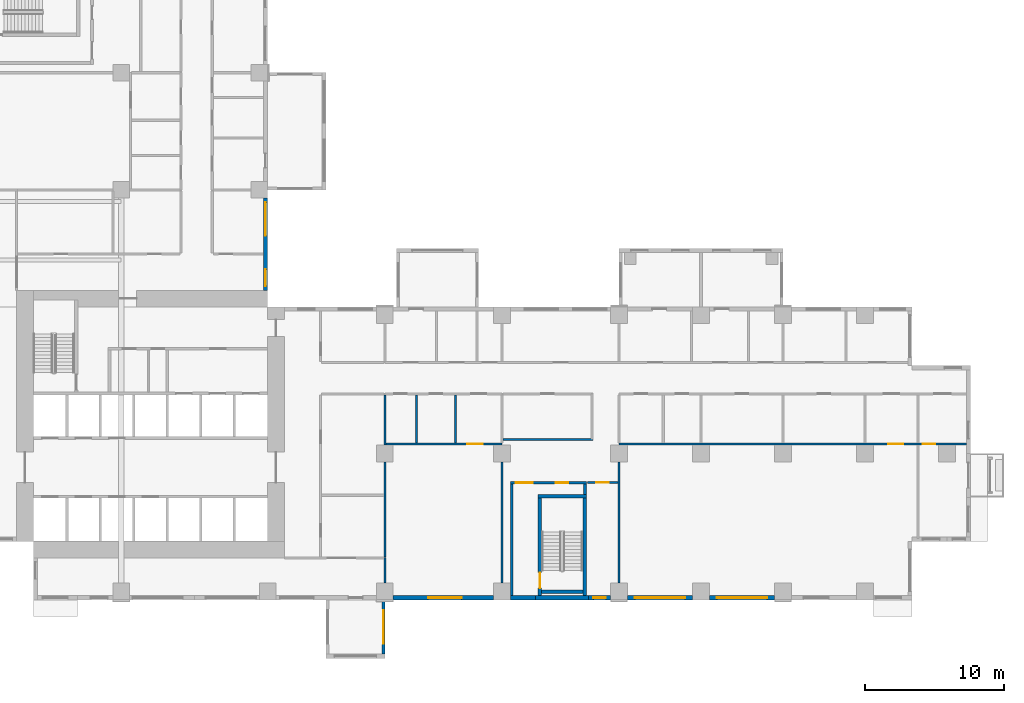
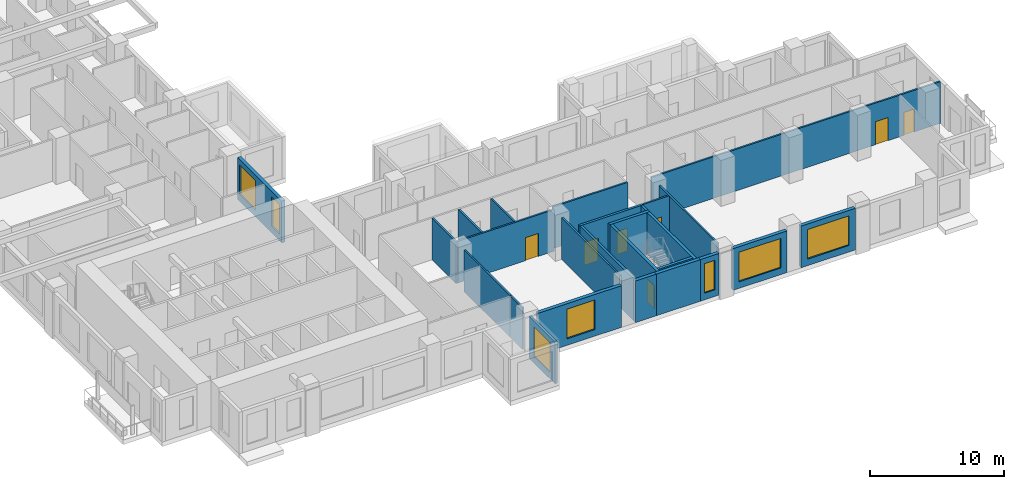
# One storey, part 4 of 15: 26 walls, 7 doors, 7 windows, 14 openings.
"""IFC4 building model written with IfcOpenShell, lengths in metres."""

from ifc_helpers import new_model, si_unit, direction, frame, frame_2d, origin, place, context, subcontext, project, spatial, rectangle, extrude, source, transform, mapped, material, layer, layer_set, type_object, element, fill, save


model = new_model("IFC4")

# Units and contexts
model_context = context("Model", 3, precision=1e-05, world=origin(), true_north=direction((0.0, 1.0)))
body_context = subcontext(model_context, "Body", "Model", "MODEL_VIEW")
ifc_project = project(units=[si_unit("LENGTHUNIT", "METRE"), si_unit("AREAUNIT", "SQUARE_METRE"), si_unit("VOLUMEUNIT", "CUBIC_METRE"), si_unit("PLANEANGLEUNIT", "RADIAN"), si_unit("MASSUNIT", "GRAM", prefix="KILO")], contexts=[model_context])

# Site, building, storey
site_placement = place(None, origin())
site = spatial("IfcSite", under=ifc_project, at=site_placement, CompositionType="ELEMENT")
building_placement = place(site_placement, origin())
building = spatial("IfcBuilding", under=site, at=building_placement, Name="Aurelian Terraces", CompositionType="ELEMENT")
storey_placement = place(building_placement, frame((0.0, 0.0, 82.5)))
storey = spatial("IfcBuildingStorey", under=building, at=storey_placement, Name="L17", CompositionType="ELEMENT", Elevation=82.5)

# Wall, opening, window
ifc_material_1 = material(Name="Terracotta rainscreen cladding", Category="masonry")
ifc_layer_1 = layer(ifc_material_1, 0.3)
ifc_layer_set_1 = layer_set([ifc_layer_1], Name="EW-300")
wall_type_1 = type_object("IfcWallType", Name="EW-300", PredefinedType="STANDARD", material=ifc_layer_set_1)
shared_shape_1 = source(origin(), body_context, "Body", "SweptSolid", [
    extrude(rectangle(XDim=7.2, YDim=0.3, at=frame_2d((3.6, 0.0))), origin(), (0.0, 0.0, 1.0), 3.8),
])
wall_1_placement = place(storey_placement, frame((30.0, 0.15, 0.0), z_axis=(0.0, 0.0, 1.0), x_axis=(1.0, 0.0, 0.0)))
wall_1 = element("IfcWall", 1, at=wall_1_placement, inside=storey, type_object=wall_type_1, Name="External wall L17 F01.6", PredefinedType="STANDARD", context=body_context, shape_type="MappedRepresentation", body=[
    mapped(shared_shape_1, transform((0.0, 0.0, 0.0), scale=1.0)),
])
shared_shape_2 = source(origin(), body_context, "Body", "SweptSolid", [
    extrude(rectangle(XDim=2.4, YDim=2.7, at=frame_2d((1.2, 1.35))), frame((0.0, 0.16, 0.0), z_axis=(0.0, -1.0, 0.0), x_axis=(1.0, 0.0, 0.0)), (0.0, 0.0, 1.0), 0.32),
])
opening_1_placement = place(wall_1_placement, frame((2.5, 0.0, 0.6)))
opening_1 = element("IfcOpeningElement", 2, at=opening_1_placement, cuts=wall_1, Name="Opening W2427", PredefinedType="OPENING", context=body_context, shape_type="MappedRepresentation", body=[
    mapped(shared_shape_2, transform((0.0, 0.0, 0.0), scale=1.0)),
])
ifc_material_2 = material(Name="Clear glazing", Category="glass")
window_type_1 = type_object("IfcWindowType", Name="W-2400x2700", PartitioningType="SINGLE_PANEL", PredefinedType="WINDOW", material=ifc_material_2)
shared_shape_3 = source(origin(), body_context, "Body", "SweptSolid", [
    extrude(rectangle(XDim=2.4, YDim=2.7, at=frame_2d((1.2, 1.35))), frame((0.0, 0.03, 0.0), z_axis=(0.0, -1.0, 0.0), x_axis=(1.0, 0.0, 0.0)), (0.0, 0.0, 1.0), 0.06),
])
window_1_placement = place(opening_1_placement, origin())
window_1 = element("IfcWindow", 3, at=window_1_placement, inside=storey, type_object=window_type_1, Name="Window L17 L17-F01-06-P0", OverallHeight=2.7, OverallWidth=2.4, PartitioningType="SINGLE_PANEL", PredefinedType="WINDOW", context=body_context, shape_type="MappedRepresentation", body=[
    mapped(shared_shape_3, transform((0.0, 0.0, 0.0), scale=1.0)),
])
fill(opening_1, window_1)

shared_shape_4 = source(origin(), body_context, "Body", "SweptSolid", [
    extrude(rectangle(XDim=4.68, YDim=0.3, at=frame_2d((2.34, 0.0))), origin(), (0.0, 0.0, 1.0), 3.8),
])
wall_2_placement = place(storey_placement, frame((46.8, 0.15, 0.0), z_axis=(0.0, 0.0, 1.0), x_axis=(1.0, 0.0, 0.0)))
wall_2 = element("IfcWall", 4, at=wall_2_placement, inside=storey, type_object=wall_type_1, Name="External wall L17 F01.8", PredefinedType="STANDARD", context=body_context, shape_type="MappedRepresentation", body=[
    mapped(shared_shape_4, transform((0.0, 0.0, 0.0), scale=1.0)),
])
shared_shape_5 = source(origin(), body_context, "Body", "SweptSolid", [
    extrude(rectangle(XDim=3.6, YDim=2.7, at=frame_2d((1.8, 1.35))), frame((0.0, 0.16, 0.0), z_axis=(0.0, -1.0, 0.0), x_axis=(1.0, 0.0, 0.0)), (0.0, 0.0, 1.0), 0.32),
])
opening_2_placement = place(wall_2_placement, frame((0.54, 0.0, 0.6)))
opening_2 = element("IfcOpeningElement", 5, at=opening_2_placement, cuts=wall_2, Name="Opening W3627", PredefinedType="OPENING", context=body_context, shape_type="MappedRepresentation", body=[
    mapped(shared_shape_5, transform((0.0, 0.0, 0.0), scale=1.0)),
])
window_type_2 = type_object("IfcWindowType", Name="W-3600x2700", PartitioningType="SINGLE_PANEL", PredefinedType="WINDOW", material=ifc_material_2)
shared_shape_6 = source(origin(), body_context, "Body", "SweptSolid", [
    extrude(rectangle(XDim=3.6, YDim=2.7, at=frame_2d((1.8, 1.35))), frame((0.0, 0.03, 0.0), z_axis=(0.0, -1.0, 0.0), x_axis=(1.0, 0.0, 0.0)), (0.0, 0.0, 1.0), 0.06),
])
window_2_placement = place(opening_2_placement, origin())
window_2 = element("IfcWindow", 6, at=window_2_placement, inside=storey, type_object=window_type_2, Name="Window L17 L17-F01-08-0", OverallHeight=2.7, OverallWidth=3.6, PartitioningType="SINGLE_PANEL", PredefinedType="WINDOW", context=body_context, shape_type="MappedRepresentation", body=[
    mapped(shared_shape_6, transform((0.0, 0.0, 0.0), scale=1.0)),
])
fill(opening_2, window_2)

wall_3_placement = place(storey_placement, frame((52.68, 0.15, 0.0), z_axis=(0.0, 0.0, 1.0), x_axis=(1.0, 0.0, 0.0)))
wall_3 = element("IfcWall", 7, at=wall_3_placement, inside=storey, type_object=wall_type_1, Name="External wall L17 F01.9", PredefinedType="STANDARD", context=body_context, shape_type="MappedRepresentation", body=[
    mapped(shared_shape_4, transform((0.0, 0.0, 0.0), scale=1.0)),
])
opening_3_placement = place(wall_3_placement, frame((0.54, 0.0, 0.6)))
opening_3 = element("IfcOpeningElement", 8, at=opening_3_placement, cuts=wall_3, Name="Opening W3627", PredefinedType="OPENING", context=body_context, shape_type="MappedRepresentation", body=[
    mapped(shared_shape_5, transform((0.0, 0.0, 0.0), scale=1.0)),
])
window_3_placement = place(opening_3_placement, origin())
window_3 = element("IfcWindow", 9, at=window_3_placement, inside=storey, type_object=window_type_2, Name="Window L17 L17-F01-09-0", OverallHeight=2.7, OverallWidth=3.6, PartitioningType="SINGLE_PANEL", PredefinedType="WINDOW", context=body_context, shape_type="MappedRepresentation", body=[
    mapped(shared_shape_6, transform((0.0, 0.0, 0.0), scale=1.0)),
])
fill(opening_3, window_3)

shared_shape_7 = source(origin(), body_context, "Body", "SweptSolid", [
    extrude(rectangle(XDim=1.6, YDim=0.3, at=frame_2d((0.8, 0.0))), origin(), (0.0, 0.0, 1.0), 3.8),
])
wall_4_placement = place(storey_placement, frame((44.0, 0.15, 0.0), z_axis=(0.0, 0.0, 1.0), x_axis=(1.0, 0.0, 0.0)))
wall_4 = element("IfcWall", 10, at=wall_4_placement, inside=storey, type_object=wall_type_1, Name="External wall L17 F01.7", PredefinedType="STANDARD", context=body_context, shape_type="MappedRepresentation", body=[
    mapped(shared_shape_7, transform((0.0, 0.0, 0.0), scale=1.0)),
])
shared_shape_8 = source(origin(), body_context, "Body", "SweptSolid", [
    extrude(rectangle(XDim=0.9, YDim=2.7, at=frame_2d((0.45, 1.35))), frame((0.0, 0.16, 0.0), z_axis=(0.0, -1.0, 0.0), x_axis=(1.0, 0.0, 0.0)), (0.0, 0.0, 1.0), 0.32),
])
opening_4_placement = place(wall_4_placement, frame((0.35, 0.0, 0.6)))
opening_4 = element("IfcOpeningElement", 11, at=opening_4_placement, cuts=wall_4, Name="Opening W0927", PredefinedType="OPENING", context=body_context, shape_type="MappedRepresentation", body=[
    mapped(shared_shape_8, transform((0.0, 0.0, 0.0), scale=1.0)),
])
window_type_3 = type_object("IfcWindowType", Name="W-900x2700", PartitioningType="SINGLE_PANEL", PredefinedType="WINDOW", material=ifc_material_2)
shared_shape_9 = source(origin(), body_context, "Body", "SweptSolid", [
    extrude(rectangle(XDim=0.9, YDim=2.7, at=frame_2d((0.45, 1.35))), frame((0.0, 0.03, 0.0), z_axis=(0.0, -1.0, 0.0), x_axis=(1.0, 0.0, 0.0)), (0.0, 0.0, 1.0), 0.06),
])
window_4_placement = place(opening_4_placement, origin())
window_4 = element("IfcWindow", 12, at=window_4_placement, inside=storey, type_object=window_type_3, Name="Window L17 L17-F01-07-P2", OverallHeight=2.7, OverallWidth=0.9, PartitioningType="SINGLE_PANEL", PredefinedType="WINDOW", context=body_context, shape_type="MappedRepresentation", body=[
    mapped(shared_shape_9, transform((0.0, 0.0, 0.0), scale=1.0)),
])
fill(opening_4, window_4)

# Walls
ifc_material_3 = material(Name="Concrete fc' 40 MPa", Category="concrete")
ifc_layer_2 = layer(ifc_material_3, 0.3)
ifc_layer_set_2 = layer_set([ifc_layer_2], Name="STAIR BAY WALL 300")
wall_type_2 = type_object("IfcWallType", Name="STAIR BAY WALL 300", PredefinedType="SOLIDWALL", material=ifc_layer_set_2)
shared_shape_10 = source(origin(), body_context, "Body", "SweptSolid", [
    extrude(rectangle(XDim=3.8, YDim=0.3, at=frame_2d((1.9, 0.0))), origin(), (0.0, 0.0, 1.0), 3.8),
])
wall_5_placement = place(storey_placement, frame((40.2, 0.15, 0.0), z_axis=(0.0, 0.0, 1.0), x_axis=(1.0, 0.0, 0.0)))
element("IfcWall", 13, at=wall_5_placement, inside=storey, type_object=wall_type_2, Name="Stair bay wall L17 F01.7", PredefinedType="SOLIDWALL", context=body_context, shape_type="MappedRepresentation", body=[
    mapped(shared_shape_10, transform((0.0, 0.0, 0.0), scale=1.0)),
])
shared_shape_11 = source(origin(), body_context, "Body", "SweptSolid", [
    extrude(rectangle(XDim=1.8, YDim=0.3, at=frame_2d((0.9, 0.0))), origin(), (0.0, 0.0, 1.0), 3.8),
])
wall_6_placement = place(storey_placement, frame((38.4, 0.15, 0.0), z_axis=(0.0, 0.0, 1.0), x_axis=(1.0, 0.0, 0.0)))
element("IfcWall", 14, at=wall_6_placement, inside=storey, type_object=wall_type_1, Name="External wall L17 F01.7", PredefinedType="STANDARD", context=body_context, shape_type="MappedRepresentation", body=[
    mapped(shared_shape_11, transform((0.0, 0.0, 0.0), scale=1.0)),
])

# Wall, opening, window
ifc_layer_3 = layer(ifc_material_3, 0.2)
ifc_layer_set_3 = layer_set([ifc_layer_3], Name="BOX BEARING WALL 200")
wall_type_3 = type_object("IfcWallType", Name="BOX BEARING WALL 200", PredefinedType="SOLIDWALL", material=ifc_layer_set_3)
shared_shape_12 = source(origin(), body_context, "Body", "SweptSolid", [
    extrude(rectangle(XDim=3.9, YDim=0.2, at=frame_2d((1.95, 0.0))), origin(), (0.0, 0.0, 1.0), 3.8),
])
wall_7_placement = place(storey_placement, frame((29.3, 0.0, 0.0), z_axis=(0.0, 0.0, 1.0), x_axis=(0.0, -1.0, 0.0)))
wall_7 = element("IfcWall", 15, at=wall_7_placement, inside=storey, type_object=wall_type_3, Name="Box return L17 J19.2", PredefinedType="SOLIDWALL", context=body_context, shape_type="MappedRepresentation", body=[
    mapped(shared_shape_12, transform((0.0, 0.0, 0.0), scale=1.0)),
])
shared_shape_13 = source(origin(), body_context, "Body", "SweptSolid", [
    extrude(rectangle(XDim=2.4, YDim=2.7, at=frame_2d((1.2, 1.35))), frame((0.0, 0.11, 0.0), z_axis=(0.0, -1.0, 0.0), x_axis=(1.0, 0.0, 0.0)), (0.0, 0.0, 1.0), 0.22),
])
opening_5_placement = place(wall_7_placement, frame((0.75, 0.0, 0.6)))
opening_5 = element("IfcOpeningElement", 16, at=opening_5_placement, cuts=wall_7, Name="Opening W2427", PredefinedType="OPENING", context=body_context, shape_type="MappedRepresentation", body=[
    mapped(shared_shape_13, transform((0.0, 0.0, 0.0), scale=1.0)),
])
window_5_placement = place(opening_5_placement, origin())
window_5 = element("IfcWindow", 17, at=window_5_placement, inside=storey, type_object=window_type_1, Name="Window L17 J19-S2", OverallHeight=2.7, OverallWidth=2.4, PartitioningType="SINGLE_PANEL", PredefinedType="WINDOW", context=body_context, shape_type="MappedRepresentation", body=[
    mapped(shared_shape_3, transform((0.0, 0.0, 0.0), scale=1.0)),
])
fill(opening_5, window_5)

# Wall, openings, windows
shared_shape_14 = source(origin(), body_context, "Body", "SweptSolid", [
    extrude(rectangle(XDim=6.6, YDim=0.3, at=frame_2d((3.3, 0.0))), origin(), (0.0, 0.0, 1.0), 3.8),
])
wall_8_placement = place(storey_placement, frame((20.85, 22.2, 0.0), z_axis=(0.0, 0.0, 1.0), x_axis=(0.0, 1.0, 0.0)))
wall_8 = element("IfcWall", 18, at=wall_8_placement, inside=storey, type_object=wall_type_1, Name="External wall L17 F08.22", PredefinedType="STANDARD", context=body_context, shape_type="MappedRepresentation", body=[
    mapped(shared_shape_14, transform((0.0, 0.0, 0.0), scale=1.0)),
])
shared_shape_15 = source(origin(), body_context, "Body", "SweptSolid", [
    extrude(rectangle(XDim=1.2, YDim=2.7, at=frame_2d((0.6, 1.35))), frame((0.0, 0.16, 0.0), z_axis=(0.0, -1.0, 0.0), x_axis=(1.0, 0.0, 0.0)), (0.0, 0.0, 1.0), 0.32),
])
opening_6_placement = place(wall_8_placement, frame((0.3, 0.0, 0.6)))
opening_6 = element("IfcOpeningElement", 19, at=opening_6_placement, cuts=wall_8, Name="Opening W1227", PredefinedType="OPENING", context=body_context, shape_type="MappedRepresentation", body=[
    mapped(shared_shape_15, transform((0.0, 0.0, 0.0), scale=1.0)),
])
opening_7_placement = place(wall_8_placement, frame((3.9, 0.0, 0.6)))
opening_7 = element("IfcOpeningElement", 20, at=opening_7_placement, cuts=wall_8, Name="Opening W2427", PredefinedType="OPENING", context=body_context, shape_type="MappedRepresentation", body=[
    mapped(shared_shape_2, transform((0.0, 0.0, 0.0), scale=1.0)),
])
window_6_placement = place(opening_7_placement, origin())
window_6 = element("IfcWindow", 21, at=window_6_placement, inside=storey, type_object=window_type_1, Name="Window L17 L17-F08-22-1", OverallHeight=2.7, OverallWidth=2.4, PartitioningType="SINGLE_PANEL", PredefinedType="WINDOW", context=body_context, shape_type="MappedRepresentation", body=[
    mapped(shared_shape_3, transform((0.0, 0.0, 0.0), scale=1.0)),
])
fill(opening_7, window_6)
window_type_4 = type_object("IfcWindowType", Name="W-1200x2700", PartitioningType="SINGLE_PANEL", PredefinedType="WINDOW", material=ifc_material_2)
shared_shape_16 = source(origin(), body_context, "Body", "SweptSolid", [
    extrude(rectangle(XDim=1.2, YDim=2.7, at=frame_2d((0.6, 1.35))), frame((0.0, 0.03, 0.0), z_axis=(0.0, -1.0, 0.0), x_axis=(1.0, 0.0, 0.0)), (0.0, 0.0, 1.0), 0.06),
])
window_7_placement = place(opening_6_placement, origin())
window_7 = element("IfcWindow", 22, at=window_7_placement, inside=storey, type_object=window_type_4, Name="Window L17 L17-F08-22-0", OverallHeight=2.7, OverallWidth=1.2, PartitioningType="SINGLE_PANEL", PredefinedType="WINDOW", context=body_context, shape_type="MappedRepresentation", body=[
    mapped(shared_shape_16, transform((0.0, 0.0, 0.0), scale=1.0)),
])
fill(opening_6, window_7)

# Wall, opening, door
ifc_layer_4 = layer(ifc_material_3, 0.25)
ifc_layer_set_4 = layer_set([ifc_layer_4], Name="Stair enclosure wall 250")
wall_type_4 = type_object("IfcWallType", Name="Stair enclosure wall 250", PredefinedType="SOLIDWALL", material=ifc_layer_set_4)
shared_shape_17 = source(origin(), body_context, "Body", "SweptSolid", [
    extrude(rectangle(XDim=7.0, YDim=0.25, at=frame_2d((3.5, 0.0))), origin(), (0.0, 0.0, 1.0), 3.8),
])
wall_9_placement = place(storey_placement, frame((40.525, 0.3, 0.0), z_axis=(0.0, 0.0, 1.0), x_axis=(0.0, 1.0, 0.0)))
wall_9 = element("IfcWall", 23, at=wall_9_placement, inside=storey, type_object=wall_type_4, Name="L17 core wall ST-S2-W", PredefinedType="SOLIDWALL", context=body_context, shape_type="MappedRepresentation", body=[
    mapped(shared_shape_17, transform((0.0, 0.0, 0.0), scale=1.0)),
])
shared_shape_18 = source(origin(), body_context, "Body", "SweptSolid", [
    extrude(rectangle(XDim=1.1, YDim=2.1, at=frame_2d((0.55, 1.05))), frame((0.0, 0.135, 0.0), z_axis=(0.0, -1.0, 0.0), x_axis=(1.0, 0.0, 0.0)), (0.0, 0.0, 1.0), 0.27),
])
opening_8_placement = place(wall_9_placement, frame((0.55, 0.0, 0.0)))
opening_8 = element("IfcOpeningElement", 24, at=opening_8_placement, cuts=wall_9, Name="Opening 62014", PredefinedType="OPENING", context=body_context, shape_type="MappedRepresentation", body=[
    mapped(shared_shape_18, transform((0.0, 0.0, 0.0), scale=1.0)),
])
ifc_material_4 = material(Name="Steel door leaf", Category="steel")
door_type_1 = type_object("IfcDoorType", Name="Core fire door 1100x2100", OperationType="SINGLE_SWING_LEFT", PredefinedType="DOOR", material=ifc_material_4)
shared_shape_19 = source(origin(), body_context, "Body", "SweptSolid", [
    extrude(rectangle(XDim=1.1, YDim=2.1, at=frame_2d((0.55, 1.05))), frame((0.0, 0.025, 0.0), z_axis=(0.0, -1.0, 0.0), x_axis=(1.0, 0.0, 0.0)), (0.0, 0.0, 1.0), 0.05),
])
door_1_placement = place(opening_8_placement, origin())
door_1 = element("IfcDoor", 25, at=door_1_placement, inside=storey, type_object=door_type_1, Name="Stair door 62014", OperationType="SINGLE_SWING_LEFT", OverallHeight=2.1, OverallWidth=1.1, PredefinedType="DOOR", context=body_context, shape_type="MappedRepresentation", body=[
    mapped(shared_shape_19, transform((0.0, 0.0, 0.0), scale=1.0)),
])
fill(opening_8, door_1)

# Walls
wall_10_placement = place(storey_placement, frame((43.725, 0.3, 0.0), z_axis=(0.0, 0.0, 1.0), x_axis=(0.0, 1.0, 0.0)))
element("IfcWall", 26, at=wall_10_placement, inside=storey, type_object=wall_type_4, Name="L17 core wall ST-S2-E", PredefinedType="SOLIDWALL", context=body_context, shape_type="MappedRepresentation", body=[
    mapped(shared_shape_17, transform((0.0, 0.0, 0.0), scale=1.0)),
])
shared_shape_20 = source(origin(), body_context, "Body", "SweptSolid", [
    extrude(rectangle(XDim=3.45, YDim=0.25, at=frame_2d((1.725, 0.0))), origin(), (0.0, 0.0, 1.0), 3.8),
])
wall_11_placement = place(storey_placement, frame((40.4, 7.425, 0.0), z_axis=(0.0, 0.0, 1.0), x_axis=(1.0, 0.0, 0.0)))
element("IfcWall", 27, at=wall_11_placement, inside=storey, type_object=wall_type_4, Name="L17 core wall ST-S2-N", PredefinedType="SOLIDWALL", context=body_context, shape_type="MappedRepresentation", body=[
    mapped(shared_shape_20, transform((0.0, 0.0, 0.0), scale=1.0)),
])
shared_shape_21 = source(origin(), body_context, "Body", "SweptSolid", [
    extrude(rectangle(XDim=2.95, YDim=0.25, at=frame_2d((1.475, 0.0))), origin(), (0.0, 0.0, 1.0), 3.8),
])
wall_12_placement = place(storey_placement, frame((40.65, 0.575, 0.0), z_axis=(0.0, 0.0, 1.0), x_axis=(1.0, 0.0, 0.0)))
element("IfcWall", 28, at=wall_12_placement, inside=storey, type_object=wall_type_4, Name="L17 core wall ST-S2-SS", PredefinedType="SOLIDWALL", context=body_context, shape_type="MappedRepresentation", body=[
    mapped(shared_shape_21, transform((0.0, 0.0, 0.0), scale=1.0)),
])
ifc_material_5 = material(Name="Gypsum board on steel studs", Category="steel")
ifc_layer_5 = layer(ifc_material_5, 0.2)
ifc_layer_set_5 = layer_set([ifc_layer_5], Name="Core partition 200")
wall_type_5 = type_object("IfcWallType", Name="Core partition 200", PredefinedType="PARTITIONING", material=ifc_layer_set_5)
shared_shape_22 = source(origin(), body_context, "Body", "SweptSolid", [
    extrude(rectangle(XDim=8.0, YDim=0.2, at=frame_2d((4.0, 0.0))), origin(), (0.0, 0.0, 1.0), 3.8),
])
wall_13_placement = place(storey_placement, frame((38.5, 0.3, 0.0), z_axis=(0.0, 0.0, 1.0), x_axis=(0.0, 1.0, 0.0)))
element("IfcWall", 29, at=wall_13_placement, inside=storey, type_object=wall_type_5, Name="L17 core wall ST-S2-VW", PredefinedType="PARTITIONING", context=body_context, shape_type="MappedRepresentation", body=[
    mapped(shared_shape_22, transform((0.0, 0.0, 0.0), scale=1.0)),
])

# Wall, openings, doors
shared_shape_23 = source(origin(), body_context, "Body", "SweptSolid", [
    extrude(rectangle(XDim=5.45, YDim=0.2, at=frame_2d((2.725, 0.0))), origin(), (0.0, 0.0, 1.0), 3.8),
])
wall_14_placement = place(storey_placement, frame((38.4, 8.4, 0.0), z_axis=(0.0, 0.0, 1.0), x_axis=(1.0, 0.0, 0.0)))
wall_14 = element("IfcWall", 30, at=wall_14_placement, inside=storey, type_object=wall_type_5, Name="L17 core wall ST-S2-BN", PredefinedType="PARTITIONING", context=body_context, shape_type="MappedRepresentation", body=[
    mapped(shared_shape_23, transform((0.0, 0.0, 0.0), scale=1.0)),
])
shared_shape_24 = source(origin(), body_context, "Body", "SweptSolid", [
    extrude(rectangle(XDim=1.2, YDim=2.1, at=frame_2d((0.6, 1.05))), frame((0.0, 0.11, 0.0), z_axis=(0.0, -1.0, 0.0), x_axis=(1.0, 0.0, 0.0)), (0.0, 0.0, 1.0), 0.22),
])
opening_9_placement = place(wall_14_placement, frame((0.4, 0.0, 0.0)))
opening_9 = element("IfcOpeningElement", 31, at=opening_9_placement, cuts=wall_14, Name="Opening 62015", PredefinedType="OPENING", context=body_context, shape_type="MappedRepresentation", body=[
    mapped(shared_shape_24, transform((0.0, 0.0, 0.0), scale=1.0)),
])
shared_shape_25 = source(origin(), body_context, "Body", "SweptSolid", [
    extrude(rectangle(XDim=0.9, YDim=2.1, at=frame_2d((0.45, 1.05))), frame((0.0, 0.11, 0.0), z_axis=(0.0, -1.0, 0.0), x_axis=(1.0, 0.0, 0.0)), (0.0, 0.0, 1.0), 0.22),
])
opening_10_placement = place(wall_14_placement, frame((3.25, 0.0, 0.0)))
opening_10 = element("IfcOpeningElement", 32, at=opening_10_placement, cuts=wall_14, Name="Opening 62016", PredefinedType="OPENING", context=body_context, shape_type="MappedRepresentation", body=[
    mapped(shared_shape_25, transform((0.0, 0.0, 0.0), scale=1.0)),
])
door_type_2 = type_object("IfcDoorType", Name="Core riser door 900x2100", OperationType="SINGLE_SWING_LEFT", PredefinedType="DOOR", material=ifc_material_4)
shared_shape_26 = source(origin(), body_context, "Body", "SweptSolid", [
    extrude(rectangle(XDim=0.9, YDim=2.1, at=frame_2d((0.45, 1.05))), frame((0.0, 0.025, 0.0), z_axis=(0.0, -1.0, 0.0), x_axis=(1.0, 0.0, 0.0)), (0.0, 0.0, 1.0), 0.05),
])
door_2_placement = place(opening_10_placement, origin())
door_2 = element("IfcDoor", 33, at=door_2_placement, inside=storey, type_object=door_type_2, Name="Riser door 62016", OperationType="SINGLE_SWING_LEFT", OverallHeight=2.1, OverallWidth=0.9, PredefinedType="DOOR", context=body_context, shape_type="MappedRepresentation", body=[
    mapped(shared_shape_26, transform((0.0, 0.0, 0.0), scale=1.0)),
])
fill(opening_10, door_2)
door_type_3 = type_object("IfcDoorType", Name="Core fire door 1200x2100 right", OperationType="SINGLE_SWING_RIGHT", PredefinedType="DOOR", material=ifc_material_4)
shared_shape_27 = source(origin(), body_context, "Body", "SweptSolid", [
    extrude(rectangle(XDim=1.2, YDim=2.1, at=frame_2d((0.6, 1.05))), frame((0.0, 0.025, 0.0), z_axis=(0.0, -1.0, 0.0), x_axis=(1.0, 0.0, 0.0)), (0.0, 0.0, 1.0), 0.05),
])
door_3_placement = place(opening_9_placement, origin())
door_3 = element("IfcDoor", 34, at=door_3_placement, inside=storey, type_object=door_type_3, Name="Vestibule door 62015", OperationType="SINGLE_SWING_RIGHT", OverallHeight=2.1, OverallWidth=1.2, PredefinedType="DOOR", context=body_context, shape_type="MappedRepresentation", body=[
    mapped(shared_shape_27, transform((0.0, 0.0, 0.0), scale=1.0)),
])
fill(opening_9, door_3)

# Walls
shared_shape_28 = source(origin(), body_context, "Body", "SweptSolid", [
    extrude(rectangle(XDim=0.75, YDim=0.2, at=frame_2d((0.375, 0.0))), origin(), (0.0, 0.0, 1.0), 3.8),
])
wall_15_placement = place(storey_placement, frame((43.75, 7.55, 0.0), z_axis=(0.0, 0.0, 1.0), x_axis=(0.0, 1.0, 0.0)))
element("IfcWall", 35, at=wall_15_placement, inside=storey, type_object=wall_type_5, Name="L17 core wall ST-S2-RE", PredefinedType="PARTITIONING", context=body_context, shape_type="MappedRepresentation", body=[
    mapped(shared_shape_28, transform((0.0, 0.0, 0.0), scale=1.0)),
])
ifc_layer_6 = layer(ifc_material_5, 0.15)
ifc_layer_set_6 = layer_set([ifc_layer_6], Name="Partition 150")
wall_type_6 = type_object("IfcWallType", Name="Partition 150", PredefinedType="PARTITIONING", material=ifc_layer_set_6)
shared_shape_29 = source(origin(), body_context, "Body", "SweptSolid", [
    extrude(rectangle(XDim=6.45, YDim=0.15, at=frame_2d((3.225, 0.0))), origin(), (0.0, 0.0, 1.0), 3.8),
])
wall_16_placement = place(storey_placement, frame((37.875, 11.5, 0.0), z_axis=(0.0, 0.0, 1.0), x_axis=(1.0, 0.0, 0.0)))
element("IfcWall", 36, at=wall_16_placement, inside=storey, type_object=wall_type_6, Name="Partition", PredefinedType="PARTITIONING", context=body_context, shape_type="MappedRepresentation", body=[
    mapped(shared_shape_29, transform((0.0, 0.0, 0.0), scale=1.0)),
])
shared_shape_30 = source(origin(), body_context, "Body", "SweptSolid", [
    extrude(rectangle(XDim=8.702, YDim=0.15, at=frame_2d((4.351, 0.0))), origin(), (0.0, 0.0, 1.0), 3.8),
])
for number, where, z_axis, x_axis, name in (
    (37, (37.8, 1.199, 0.0), (0.0, 0.0, 1.0), (0.0, 1.0, 0.0), "Partition"),
    (38, (46.2, 1.199, 0.0), (0.0, 0.0, 1.0), (0.0, 1.0, 0.0), "Partition"),
):
    element("IfcWall", number, at=place(storey_placement, frame(where, z_axis=z_axis, x_axis=x_axis)), inside=storey, type_object=wall_type_6, Name=name, PredefinedType="PARTITIONING", context=body_context, shape_type="MappedRepresentation", body=[
        mapped(shared_shape_30, transform((0.0, 0.0, 0.0), scale=1.0)),
    ])

# Wall, opening, door
shared_shape_31 = source(origin(), body_context, "Body", "SweptSolid", [
    extrude(rectangle(XDim=8.4, YDim=0.15, at=frame_2d((4.2, 0.0))), origin(), (0.0, 0.0, 1.0), 3.8),
])
wall_17_placement = place(storey_placement, frame((37.8, 11.175, 0.0), z_axis=(0.0, 0.0, 1.0), x_axis=(-1.0, 0.0, 0.0)))
wall_17 = element("IfcWall", 39, at=wall_17_placement, inside=storey, type_object=wall_type_6, Name="Partition", PredefinedType="PARTITIONING", context=body_context, shape_type="MappedRepresentation", body=[
    mapped(shared_shape_31, transform((0.0, 0.0, 0.0), scale=1.0)),
])
shared_shape_32 = source(origin(), body_context, "Body", "SweptSolid", [
    extrude(rectangle(XDim=1.1, YDim=2.1, at=frame_2d((0.55, 1.05))), frame((0.0, 0.085, 0.0), z_axis=(0.0, -1.0, 0.0), x_axis=(1.0, 0.0, 0.0)), (0.0, 0.0, 1.0), 0.17),
])
opening_11_placement = place(wall_17_placement, frame((1.3792, 0.0, 0.0)))
opening_11 = element("IfcOpeningElement", 40, at=opening_11_placement, cuts=wall_17, Name="Opening 717008", PredefinedType="OPENING", context=body_context, shape_type="MappedRepresentation", body=[
    mapped(shared_shape_32, transform((0.0, 0.0, 0.0), scale=1.0)),
])
ifc_material_6 = material(Name="Timber door leaf", Category="wood")
door_type_4 = type_object("IfcDoorType", Name="Room door 1100x2100 left", OperationType="SINGLE_SWING_LEFT", PredefinedType="DOOR", material=ifc_material_6)
door_4_placement = place(opening_11_placement, origin())
door_4 = element("IfcDoor", 41, at=door_4_placement, inside=storey, type_object=door_type_4, Name="Door 717008", OperationType="SINGLE_SWING_LEFT", OverallHeight=2.1, OverallWidth=1.1, PredefinedType="DOOR", context=body_context, shape_type="MappedRepresentation", body=[
    mapped(shared_shape_19, transform((0.0, 0.0, 0.0), scale=1.0)),
])
fill(opening_11, door_4)

# Wall, openings, doors
shared_shape_33 = source(origin(), body_context, "Body", "SweptSolid", [
    extrude(rectangle(XDim=24.9, YDim=0.15, at=frame_2d((12.45, 0.0))), origin(), (0.0, 0.0, 1.0), 3.8),
])
wall_18_placement = place(storey_placement, frame((71.1, 11.175, 0.0), z_axis=(0.0, 0.0, 1.0), x_axis=(-1.0, 0.0, 0.0)))
wall_18 = element("IfcWall", 42, at=wall_18_placement, inside=storey, type_object=wall_type_6, Name="Partition", PredefinedType="PARTITIONING", context=body_context, shape_type="MappedRepresentation", body=[
    mapped(shared_shape_33, transform((0.0, 0.0, 0.0), scale=1.0)),
])
opening_12_placement = place(wall_18_placement, frame((4.5075, 0.0, 0.0)))
opening_12 = element("IfcOpeningElement", 43, at=opening_12_placement, cuts=wall_18, Name="Opening 717012", PredefinedType="OPENING", context=body_context, shape_type="MappedRepresentation", body=[
    mapped(shared_shape_32, transform((0.0, 0.0, 0.0), scale=1.0)),
])
shared_shape_34 = source(origin(), body_context, "Body", "SweptSolid", [
    extrude(rectangle(XDim=0.9, YDim=2.1, at=frame_2d((0.45, 1.05))), frame((0.0, 0.085, 0.0), z_axis=(0.0, -1.0, 0.0), x_axis=(1.0, 0.0, 0.0)), (0.0, 0.0, 1.0), 0.17),
])
opening_13_placement = place(wall_18_placement, frame((2.2425, 0.0, 0.0)))
opening_13 = element("IfcOpeningElement", 44, at=opening_13_placement, cuts=wall_18, Name="Opening 717018", PredefinedType="OPENING", context=body_context, shape_type="MappedRepresentation", body=[
    mapped(shared_shape_34, transform((0.0, 0.0, 0.0), scale=1.0)),
])
door_type_5 = type_object("IfcDoorType", Name="Room door 900x2100 left", OperationType="SINGLE_SWING_LEFT", PredefinedType="DOOR", material=ifc_material_6)
door_5_placement = place(opening_13_placement, origin())
door_5 = element("IfcDoor", 45, at=door_5_placement, inside=storey, type_object=door_type_5, Name="Door 717018", OperationType="SINGLE_SWING_LEFT", OverallHeight=2.1, OverallWidth=0.9, PredefinedType="DOOR", context=body_context, shape_type="MappedRepresentation", body=[
    mapped(shared_shape_26, transform((0.0, 0.0, 0.0), scale=1.0)),
])
fill(opening_13, door_5)
door_6_placement = place(opening_12_placement, origin())
door_6 = element("IfcDoor", 46, at=door_6_placement, inside=storey, type_object=door_type_4, Name="Door 717012", OperationType="SINGLE_SWING_LEFT", OverallHeight=2.1, OverallWidth=1.1, PredefinedType="DOOR", context=body_context, shape_type="MappedRepresentation", body=[
    mapped(shared_shape_19, transform((0.0, 0.0, 0.0), scale=1.0)),
])
fill(opening_12, door_6)

# Wall
shared_shape_35 = source(origin(), body_context, "Body", "SweptSolid", [
    extrude(rectangle(XDim=6.826, YDim=0.15, at=frame_2d((3.413, 0.0))), origin(), (0.0, 0.0, 1.0), 3.8),
])
wall_19_placement = place(storey_placement, frame((29.4, 3.075, 0.0), z_axis=(0.0, 0.0, 1.0), x_axis=(0.0, 1.0, 0.0)))
element("IfcWall", 47, at=wall_19_placement, inside=storey, type_object=wall_type_6, Name="Partition", PredefinedType="PARTITIONING", context=body_context, shape_type="MappedRepresentation", body=[
    mapped(shared_shape_35, transform((0.0, 0.0, 0.0), scale=1.0)),
])

# Wall, opening, door
shared_shape_36 = source(origin(), body_context, "Body", "SweptSolid", [
    extrude(rectangle(XDim=2.2, YDim=0.15, at=frame_2d((1.1, 0.0))), origin(), (0.0, 0.0, 1.0), 3.8),
])
wall_20_placement = place(storey_placement, frame((46.125, 8.425, 0.0), z_axis=(0.0, 0.0, 1.0), x_axis=(-1.0, 0.0, 0.0)))
wall_20 = element("IfcWall", 48, at=wall_20_placement, inside=storey, type_object=wall_type_6, Name="Partition", PredefinedType="PARTITIONING", context=body_context, shape_type="MappedRepresentation", body=[
    mapped(shared_shape_36, transform((0.0, 0.0, 0.0), scale=1.0)),
])
opening_14_placement = place(wall_20_placement, frame((0.65, 0.0, 0.0)))
opening_14 = element("IfcOpeningElement", 49, at=opening_14_placement, cuts=wall_20, Name="Opening 717006", PredefinedType="OPENING", context=body_context, shape_type="MappedRepresentation", body=[
    mapped(shared_shape_34, transform((0.0, 0.0, 0.0), scale=1.0)),
])
door_7_placement = place(opening_14_placement, origin())
door_7 = element("IfcDoor", 50, at=door_7_placement, inside=storey, type_object=door_type_5, Name="Door 717006", OperationType="SINGLE_SWING_LEFT", OverallHeight=2.1, OverallWidth=0.9, PredefinedType="DOOR", context=body_context, shape_type="MappedRepresentation", body=[
    mapped(shared_shape_26, transform((0.0, 0.0, 0.0), scale=1.0)),
])
fill(opening_14, door_7)

# Walls
shared_shape_37 = source(origin(), body_context, "Body", "SweptSolid", [
    extrude(rectangle(XDim=1.856, YDim=0.15, at=frame_2d((0.928, 0.0))), origin(), (0.0, 0.0, 1.0), 3.8),
])
wall_21_placement = place(storey_placement, frame((29.4, 1.199, 0.0), z_axis=(0.0, 0.0, 1.0), x_axis=(0.0, 1.0, 0.0)))
element("IfcWall", 51, at=wall_21_placement, inside=storey, type_object=wall_type_6, Name="Partition", PredefinedType="PARTITIONING", context=body_context, shape_type="MappedRepresentation", body=[
    mapped(shared_shape_37, transform((0.0, 0.0, 0.0), scale=1.0)),
])
shared_shape_38 = source(origin(), body_context, "Body", "SweptSolid", [
    extrude(rectangle(XDim=3.601, YDim=0.15, at=frame_2d((1.8005, 0.0))), origin(), (0.0, 0.0, 1.0), 3.8),
])
wall_22_placement = place(storey_placement, frame((29.4, 11.099, 0.0), z_axis=(0.0, 0.0, 1.0), x_axis=(0.0, 1.0, 0.0)))
element("IfcWall", 52, at=wall_22_placement, inside=storey, type_object=wall_type_6, Name="Partition", PredefinedType="PARTITIONING", context=body_context, shape_type="MappedRepresentation", body=[
    mapped(shared_shape_38, transform((0.0, 0.0, 0.0), scale=1.0)),
])
shared_shape_39 = source(origin(), body_context, "Body", "SweptSolid", [
    extrude(rectangle(XDim=3.45, YDim=0.15, at=frame_2d((1.725, 0.0))), origin(), (0.0, 0.0, 1.0), 3.8),
])
for number, where, z_axis, x_axis, name in (
    (53, (31.6645, 11.25, 0.0), (0.0, 0.0, 1.0), (0.0, 1.0, 0.0), "Partition"),
    (54, (34.4708, 11.25, 0.0), (0.0, 0.0, 1.0), (0.0, 1.0, 0.0), "Partition"),
):
    element("IfcWall", number, at=place(storey_placement, frame(where, z_axis=z_axis, x_axis=x_axis)), inside=storey, type_object=wall_type_6, Name=name, PredefinedType="PARTITIONING", context=body_context, shape_type="MappedRepresentation", body=[
        mapped(shared_shape_39, transform((0.0, 0.0, 0.0), scale=1.0)),
    ])

save(model, "model.ifc")
